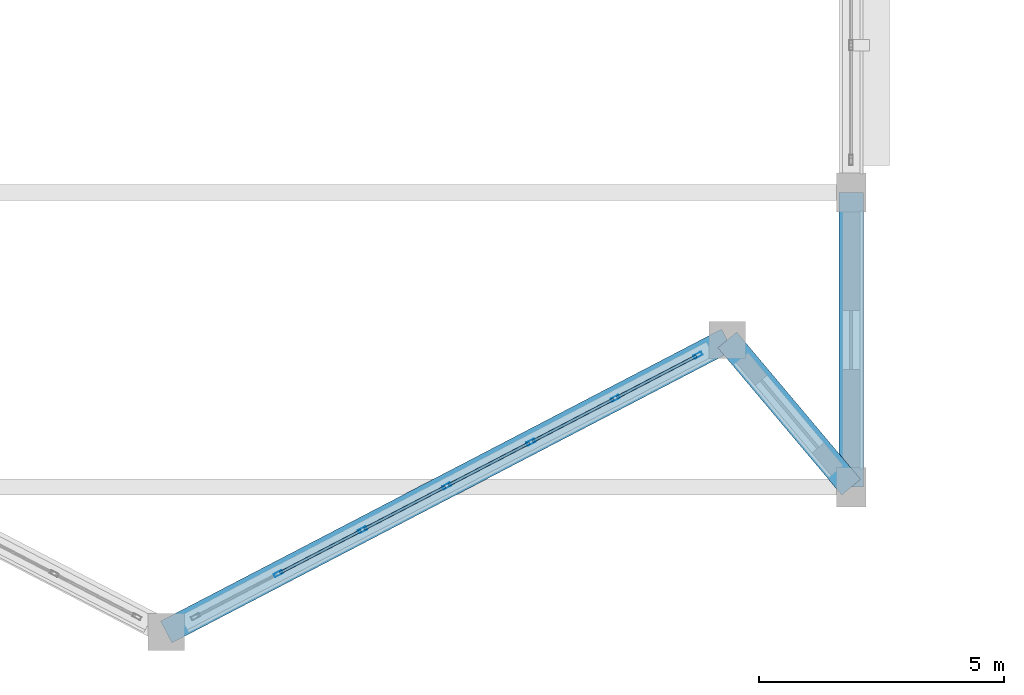
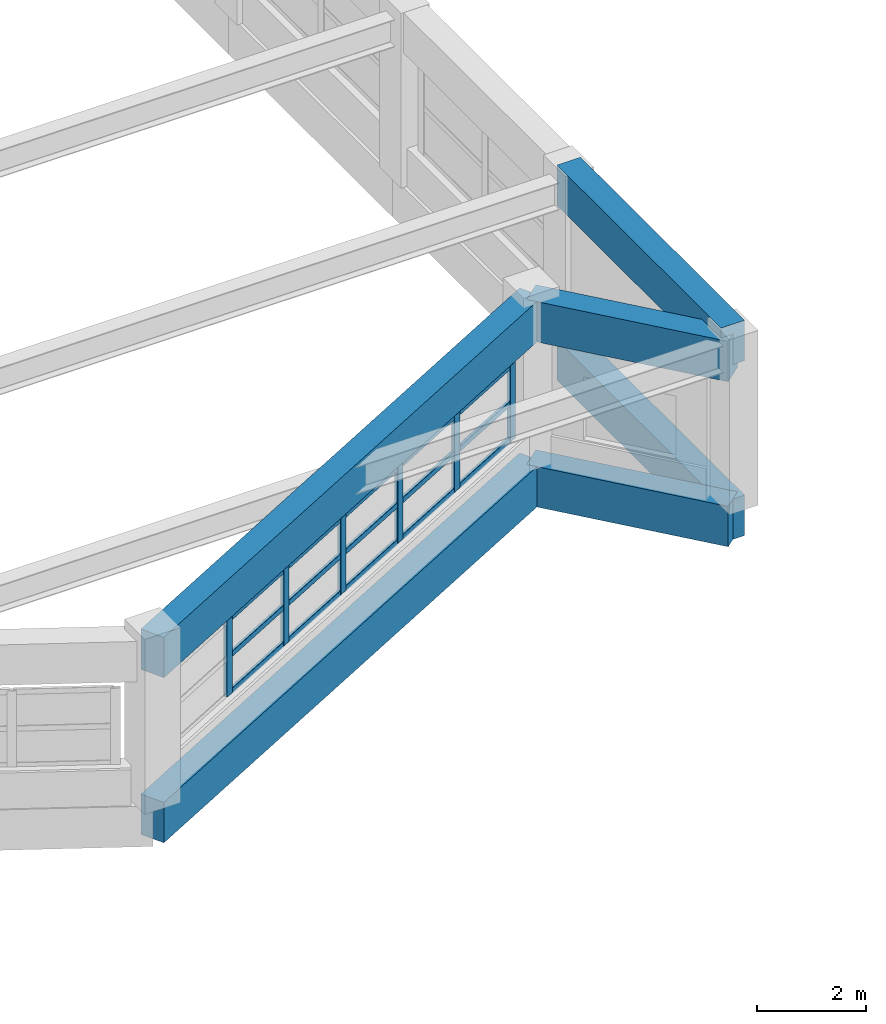
# One storey, part 8 of 108: 21 members, 6 beams, 1 element without a shape of its own.
"""IFC4 building model written with IfcOpenShell, lengths in metres."""

from ifc_helpers import new_model, si_unit, direction, frame, origin, origin_2d, place, context, subcontext, project, spatial, rectangle, hollow_rectangle, extrude, material, layer, layer_set, material_profile, profile_set, type_object, element, aggregate, save


model = new_model("IFC4")

# Units and contexts
model_context = context("Model", 3, precision=1e-05, world=origin(), true_north=direction((0.0, 1.0)))
body_context = subcontext(model_context, "Body", "Model", "MODEL_VIEW")
ifc_project = project(units=[si_unit("LENGTHUNIT", "METRE"), si_unit("AREAUNIT", "SQUARE_METRE"), si_unit("VOLUMEUNIT", "CUBIC_METRE"), si_unit("PLANEANGLEUNIT", "RADIAN"), si_unit("MASSUNIT", "GRAM", prefix="KILO")], contexts=[model_context])

# Site, building, storey
site_placement = place(None, origin())
site = spatial("IfcSite", under=ifc_project, at=site_placement, CompositionType="ELEMENT")
building_placement = place(site_placement, origin())
building = spatial("IfcBuilding", under=site, at=building_placement, Name="Vespera Passage Community Centre", CompositionType="ELEMENT")
storey_placement = place(building_placement, frame((0.0, 0.0, 12.60009765625)))
storey = spatial("IfcBuildingStorey", under=building, at=storey_placement, Name="L03", CompositionType="ELEMENT", Elevation=12.60009765625)

# Beams
ifc_material_1 = material(Name="Concrete f'c 45 MPa", Category="concrete")
ifc_material_profile_1 = material_profile(ifc_material_1, rectangle(XDim=0.5, YDim=0.89990234375, at=origin_2d()), Name="RC500X900")
ifc_profile_set_1 = profile_set([ifc_material_profile_1], Name="Concrete f'c 45 MPa")
beam_type = type_object("IfcBeamType", Name="BM-SP-500X900E", PredefinedType="SPANDREL", material=ifc_profile_set_1)
beam_1_placement = place(storey_placement, frame((31.949951171875, 7.0, 3.449951171875), z_axis=(0.0, 1.0, 0.0), x_axis=(-1.0, 0.0, 0.0)))
element("IfcBeam", 1, at=beam_1_placement, inside=storey, type_object=beam_type, Name="Main Hall Eave Ring Girder E1", PredefinedType="SPANDREL", context=body_context, shape_type="SweptSolid", body=[
    extrude(rectangle(XDim=0.5, YDim=0.89990234375, at=origin_2d()), origin(), (0.0, 0.0, 1.0), 6.0),
])
beam_2_placement = place(storey_placement, frame((18.0, 4.050048828125, 3.22998046875), z_axis=(0.887015966554, 0.461738751978, 0.0), x_axis=(-0.461738751978, 0.887015966554, 0.0)))
element("IfcBeam", 2, at=beam_2_placement, inside=storey, type_object=beam_type, Name="V1 S Apse Roof Edge Beam 3", PredefinedType="SPANDREL", context=body_context, shape_type="SweptSolid", body=[
    extrude(rectangle(XDim=0.5, YDim=0.89990234375, at=origin_2d()), origin(), (0.0, 0.0, 1.0), 12.8828125),
])
beam_3_placement = place(storey_placement, frame((29.42724609375, 9.99853515625, 3.22998046875), z_axis=(0.643780739075, -0.765210010386, 0.0), x_axis=(0.765210010386, 0.643780739075, 0.0)))
element("IfcBeam", 3, at=beam_3_placement, inside=storey, type_object=beam_type, Name="V1 S Apse Roof Edge Beam 4", PredefinedType="SPANDREL", context=body_context, shape_type="SweptSolid", body=[
    extrude(rectangle(XDim=0.5, YDim=0.89990234375, at=origin_2d()), origin(), (0.0, 0.0, 1.0), 3.91845703125),
])
beam_4_placement = place(storey_placement, frame((31.949951171875, 7.0, -0.4501953125), z_axis=(0.0, 1.0, 0.0), x_axis=(-1.0, 0.0, 0.0)))
element("IfcBeam", 4, at=beam_4_placement, inside=storey, type_object=beam_type, Name="V1 L03 Spandrel E1", PredefinedType="SPANDREL", context=body_context, shape_type="SweptSolid", body=[
    extrude(rectangle(XDim=0.5, YDim=0.89990234375, at=origin_2d()), origin(), (0.0, 0.0, 1.0), 6.0),
])
beam_5_placement = place(storey_placement, frame((18.0, 4.050048828125, -0.4501953125), z_axis=(0.887015966554, 0.461738751978, 0.0), x_axis=(-0.461738751978, 0.887015966554, 0.0)))
element("IfcBeam", 5, at=beam_5_placement, inside=storey, type_object=beam_type, Name="V1 L03 S Apse Spandrel 3", PredefinedType="SPANDREL", context=body_context, shape_type="SweptSolid", body=[
    extrude(rectangle(XDim=0.5, YDim=0.89990234375, at=origin_2d()), origin(), (0.0, 0.0, 1.0), 12.8828125),
])
beam_6_placement = place(storey_placement, frame((29.42724609375, 9.99853515625, -0.4501953125), z_axis=(0.643780739075, -0.765210010386, 0.0), x_axis=(0.765210010386, 0.643780739075, 0.0)))
element("IfcBeam", 6, at=beam_6_placement, inside=storey, type_object=beam_type, Name="V1 L03 S Apse Spandrel 4", PredefinedType="SPANDREL", context=body_context, shape_type="SweptSolid", body=[
    extrude(rectangle(XDim=0.5, YDim=0.89990234375, at=origin_2d()), origin(), (0.0, 0.0, 1.0), 3.91845703125),
])

# Curtain wall, members
ifc_material_2 = material(Name="Anodized aluminium 6063-T6", Category="aluminium")
ifc_layer = layer(ifc_material_2, 0.159912109375)
ifc_layer_set = layer_set([ifc_layer], Name="Anodized aluminium 6063-T6")
curtain_wall_type = type_object("IfcCurtainWallType", Name="CW-88E", PredefinedType="NOTDEFINED", material=ifc_layer_set)
curtain_wall_placement = place(storey_placement, origin())
curtain_wall = element("IfcCurtainWall", 7, at=curtain_wall_placement, inside=storey, type_object=curtain_wall_type, Name="V1 L03 S Apse Ribbon Curtain Wall 2", PredefinedType="NOTDEFINED")
ifc_material_3 = material(Name="Anodized aluminium 6063-T6", Category="aluminium")
ifc_material_profile_2 = material_profile(ifc_material_3, hollow_rectangle(XDim=0.074951171875, YDim=0.179931640625, WallThickness=0.0048828125, InnerFilletRadius=0.00244140625, OuterFilletRadius=0.0048828125, at=origin_2d()), Name="ALU180X75X5")
ifc_profile_set_2 = profile_set([ifc_material_profile_2], Name="Anodized aluminium 6063-T6")
member_type_1 = type_object("IfcMemberType", Name="MB-CWM-180E", PredefinedType="MULLION", material=ifc_profile_set_2)
member_1_placement = place(storey_placement, frame((28.828125, 9.686767578125, 0.7998046875), z_axis=(0.0, 0.0, 1.0), x_axis=(0.46174493668, -0.887012747062, 0.0)))
member_1 = element("IfcMember", 8, at=member_1_placement, type_object=member_type_1, Name="CW-88E mullion 1", PredefinedType="MULLION", context=body_context, shape_type="SweptSolid", body=[
    extrude(hollow_rectangle(XDim=0.074951171875, YDim=0.179931640625, WallThickness=0.0048828125, InnerFilletRadius=0.00244140625, OuterFilletRadius=0.0048828125, at=origin_2d()), origin(), (0.0, 0.0, 1.0), 1.7001953125),
])
member_2_placement = place(storey_placement, frame((27.1455078125, 8.810791015625, 0.7998046875), z_axis=(0.0, 0.0, 1.0), x_axis=(0.46174493668, -0.887012747062, 0.0)))
member_2 = element("IfcMember", 9, at=member_2_placement, type_object=member_type_1, Name="CW-88E mullion 2", PredefinedType="MULLION", context=body_context, shape_type="SweptSolid", body=[
    extrude(hollow_rectangle(XDim=0.074951171875, YDim=0.179931640625, WallThickness=0.0048828125, InnerFilletRadius=0.00244140625, OuterFilletRadius=0.0048828125, at=origin_2d()), origin(), (0.0, 0.0, 1.0), 1.7001953125),
])
member_3_placement = place(storey_placement, frame((25.4296875, 7.91748046875, 0.7998046875), z_axis=(0.0, 0.0, 1.0), x_axis=(0.46174493668, -0.887012747062, 0.0)))
member_3 = element("IfcMember", 10, at=member_3_placement, type_object=member_type_1, Name="CW-88E mullion 3", PredefinedType="MULLION", context=body_context, shape_type="SweptSolid", body=[
    extrude(hollow_rectangle(XDim=0.074951171875, YDim=0.179931640625, WallThickness=0.0048828125, InnerFilletRadius=0.00244140625, OuterFilletRadius=0.0048828125, at=origin_2d()), origin(), (0.0, 0.0, 1.0), 1.7001953125),
])
member_4_placement = place(storey_placement, frame((23.713623046875, 7.0244140625, 0.7998046875), z_axis=(0.0, 0.0, 1.0), x_axis=(0.46174493668, -0.887012747062, 0.0)))
member_4 = element("IfcMember", 11, at=member_4_placement, type_object=member_type_1, Name="CW-88E mullion 4", PredefinedType="MULLION", context=body_context, shape_type="SweptSolid", body=[
    extrude(hollow_rectangle(XDim=0.074951171875, YDim=0.179931640625, WallThickness=0.0048828125, InnerFilletRadius=0.00244140625, OuterFilletRadius=0.0048828125, at=origin_2d()), origin(), (0.0, 0.0, 1.0), 1.7001953125),
])
member_5_placement = place(storey_placement, frame((21.99755859375, 6.131103515625, 0.7998046875), z_axis=(0.0, 0.0, 1.0), x_axis=(0.46174493668, -0.887012747062, 0.0)))
member_5 = element("IfcMember", 12, at=member_5_placement, type_object=member_type_1, Name="CW-88E mullion 5", PredefinedType="MULLION", context=body_context, shape_type="SweptSolid", body=[
    extrude(hollow_rectangle(XDim=0.074951171875, YDim=0.179931640625, WallThickness=0.0048828125, InnerFilletRadius=0.00244140625, OuterFilletRadius=0.0048828125, at=origin_2d()), origin(), (0.0, 0.0, 1.0), 1.7001953125),
])
member_6_placement = place(storey_placement, frame((20.28173828125, 5.23779296875, 0.7998046875), z_axis=(0.0, 0.0, 1.0), x_axis=(0.46174493668, -0.887012747062, 0.0)))
member_6 = element("IfcMember", 13, at=member_6_placement, type_object=member_type_1, Name="CW-88E mullion 6", PredefinedType="MULLION", context=body_context, shape_type="SweptSolid", body=[
    extrude(hollow_rectangle(XDim=0.074951171875, YDim=0.179931640625, WallThickness=0.0048828125, InnerFilletRadius=0.00244140625, OuterFilletRadius=0.0048828125, at=origin_2d()), origin(), (0.0, 0.0, 1.0), 1.7001953125),
])
ifc_material_4 = material(Name="Anodized aluminium 6063-T6", Category="aluminium")
ifc_material_profile_3 = material_profile(ifc_material_4, hollow_rectangle(XDim=0.06005859375, YDim=0.1201171875, WallThickness=0.00390625, InnerFilletRadius=0.001953125, OuterFilletRadius=0.00390625, at=origin_2d()), Name="ALU120X60X4")
ifc_profile_set_3 = profile_set([ifc_material_profile_3], Name="Anodized aluminium 6063-T6")
member_type_2 = type_object("IfcMemberType", Name="MB-CWT-120E", PredefinedType="USERDEFINED", material=ifc_profile_set_3)
member_7_placement = place(storey_placement, frame((28.794921875, 9.66943359375, 0.829833984375), z_axis=(-0.887019277583, -0.461732391322, 0.0), x_axis=(0.461732391322, -0.887019277583, 0.0)))
member_7 = element("IfcMember", 14, at=member_7_placement, type_object=member_type_2, Name="CW-88E transom 1.1", ObjectType="TRANSOM", PredefinedType="USERDEFINED", context=body_context, shape_type="SweptSolid", body=[
    extrude(hollow_rectangle(XDim=0.06005859375, YDim=0.1201171875, WallThickness=0.00390625, InnerFilletRadius=0.001953125, OuterFilletRadius=0.00390625, at=origin_2d()), origin(), (0.0, 0.0, 1.0), 1.822021484375),
])
member_8_placement = place(storey_placement, frame((28.794921875, 9.66943359375, 1.64990234375), z_axis=(-0.887019277583, -0.461732391322, 0.0), x_axis=(0.461732391322, -0.887019277583, 0.0)))
member_8 = element("IfcMember", 15, at=member_8_placement, type_object=member_type_2, Name="CW-88E transom 1.2", ObjectType="TRANSOM", PredefinedType="USERDEFINED", context=body_context, shape_type="SweptSolid", body=[
    extrude(hollow_rectangle(XDim=0.06005859375, YDim=0.1201171875, WallThickness=0.00390625, InnerFilletRadius=0.001953125, OuterFilletRadius=0.00390625, at=origin_2d()), origin(), (0.0, 0.0, 1.0), 1.822021484375),
])
member_9_placement = place(storey_placement, frame((28.794921875, 9.66943359375, 2.469970703125), z_axis=(-0.887019277583, -0.461732391322, 0.0), x_axis=(0.461732391322, -0.887019277583, 0.0)))
member_9 = element("IfcMember", 16, at=member_9_placement, type_object=member_type_2, Name="CW-88E transom 1.3", ObjectType="TRANSOM", PredefinedType="USERDEFINED", context=body_context, shape_type="SweptSolid", body=[
    extrude(hollow_rectangle(XDim=0.06005859375, YDim=0.1201171875, WallThickness=0.00390625, InnerFilletRadius=0.001953125, OuterFilletRadius=0.00390625, at=origin_2d()), origin(), (0.0, 0.0, 1.0), 1.822021484375),
])
member_10_placement = place(storey_placement, frame((27.1123046875, 8.79345703125, 0.829833984375), z_axis=(-0.887008197889, -0.461753675544, 0.0), x_axis=(0.461753675544, -0.887008197889, 0.0)))
member_10 = element("IfcMember", 17, at=member_10_placement, type_object=member_type_2, Name="CW-88E transom 2.1", ObjectType="TRANSOM", PredefinedType="USERDEFINED", context=body_context, shape_type="SweptSolid", body=[
    extrude(hollow_rectangle(XDim=0.06005859375, YDim=0.1201171875, WallThickness=0.00390625, InnerFilletRadius=0.001953125, OuterFilletRadius=0.00390625, at=origin_2d()), origin(), (0.0, 0.0, 1.0), 1.859619140625),
])
member_11_placement = place(storey_placement, frame((27.1123046875, 8.79345703125, 1.64990234375), z_axis=(-0.887008197889, -0.461753675544, 0.0), x_axis=(0.461753675544, -0.887008197889, 0.0)))
member_11 = element("IfcMember", 18, at=member_11_placement, type_object=member_type_2, Name="CW-88E transom 2.2", ObjectType="TRANSOM", PredefinedType="USERDEFINED", context=body_context, shape_type="SweptSolid", body=[
    extrude(hollow_rectangle(XDim=0.06005859375, YDim=0.1201171875, WallThickness=0.00390625, InnerFilletRadius=0.001953125, OuterFilletRadius=0.00390625, at=origin_2d()), origin(), (0.0, 0.0, 1.0), 1.859619140625),
])
member_12_placement = place(storey_placement, frame((27.1123046875, 8.79345703125, 2.469970703125), z_axis=(-0.887008197889, -0.461753675544, 0.0), x_axis=(0.461753675544, -0.887008197889, 0.0)))
member_12 = element("IfcMember", 19, at=member_12_placement, type_object=member_type_2, Name="CW-88E transom 2.3", ObjectType="TRANSOM", PredefinedType="USERDEFINED", context=body_context, shape_type="SweptSolid", body=[
    extrude(hollow_rectangle(XDim=0.06005859375, YDim=0.1201171875, WallThickness=0.00390625, InnerFilletRadius=0.001953125, OuterFilletRadius=0.00390625, at=origin_2d()), origin(), (0.0, 0.0, 1.0), 1.859619140625),
])
member_13_placement = place(storey_placement, frame((25.396240234375, 7.900146484375, 0.829833984375), z_axis=(-0.887008197889, -0.461753675544, 0.0), x_axis=(0.461753675544, -0.887008197889, 0.0)))
member_13 = element("IfcMember", 20, at=member_13_placement, type_object=member_type_2, Name="CW-88E transom 3.1", ObjectType="TRANSOM", PredefinedType="USERDEFINED", context=body_context, shape_type="SweptSolid", body=[
    extrude(hollow_rectangle(XDim=0.06005859375, YDim=0.1201171875, WallThickness=0.00390625, InnerFilletRadius=0.001953125, OuterFilletRadius=0.00390625, at=origin_2d()), origin(), (0.0, 0.0, 1.0), 1.859619140625),
])
member_14_placement = place(storey_placement, frame((25.396240234375, 7.900146484375, 1.64990234375), z_axis=(-0.887008197889, -0.461753675544, 0.0), x_axis=(0.461753675544, -0.887008197889, 0.0)))
member_14 = element("IfcMember", 21, at=member_14_placement, type_object=member_type_2, Name="CW-88E transom 3.2", ObjectType="TRANSOM", PredefinedType="USERDEFINED", context=body_context, shape_type="SweptSolid", body=[
    extrude(hollow_rectangle(XDim=0.06005859375, YDim=0.1201171875, WallThickness=0.00390625, InnerFilletRadius=0.001953125, OuterFilletRadius=0.00390625, at=origin_2d()), origin(), (0.0, 0.0, 1.0), 1.859619140625),
])
member_15_placement = place(storey_placement, frame((25.396240234375, 7.900146484375, 2.469970703125), z_axis=(-0.887008197889, -0.461753675544, 0.0), x_axis=(0.461753675544, -0.887008197889, 0.0)))
member_15 = element("IfcMember", 22, at=member_15_placement, type_object=member_type_2, Name="CW-88E transom 3.3", ObjectType="TRANSOM", PredefinedType="USERDEFINED", context=body_context, shape_type="SweptSolid", body=[
    extrude(hollow_rectangle(XDim=0.06005859375, YDim=0.1201171875, WallThickness=0.00390625, InnerFilletRadius=0.001953125, OuterFilletRadius=0.00390625, at=origin_2d()), origin(), (0.0, 0.0, 1.0), 1.859619140625),
])
member_16_placement = place(storey_placement, frame((23.680419921875, 7.007080078125, 0.829833984375), z_axis=(-0.887008197889, -0.461753675544, 0.0), x_axis=(0.461753675544, -0.887008197889, 0.0)))
member_16 = element("IfcMember", 23, at=member_16_placement, type_object=member_type_2, Name="CW-88E transom 4.1", ObjectType="TRANSOM", PredefinedType="USERDEFINED", context=body_context, shape_type="SweptSolid", body=[
    extrude(hollow_rectangle(XDim=0.06005859375, YDim=0.1201171875, WallThickness=0.00390625, InnerFilletRadius=0.001953125, OuterFilletRadius=0.00390625, at=origin_2d()), origin(), (0.0, 0.0, 1.0), 1.859619140625),
])
member_17_placement = place(storey_placement, frame((23.680419921875, 7.007080078125, 1.64990234375), z_axis=(-0.887008197889, -0.461753675544, 0.0), x_axis=(0.461753675544, -0.887008197889, 0.0)))
member_17 = element("IfcMember", 24, at=member_17_placement, type_object=member_type_2, Name="CW-88E transom 4.2", ObjectType="TRANSOM", PredefinedType="USERDEFINED", context=body_context, shape_type="SweptSolid", body=[
    extrude(hollow_rectangle(XDim=0.06005859375, YDim=0.1201171875, WallThickness=0.00390625, InnerFilletRadius=0.001953125, OuterFilletRadius=0.00390625, at=origin_2d()), origin(), (0.0, 0.0, 1.0), 1.859619140625),
])
member_18_placement = place(storey_placement, frame((23.680419921875, 7.007080078125, 2.469970703125), z_axis=(-0.887008197889, -0.461753675544, 0.0), x_axis=(0.461753675544, -0.887008197889, 0.0)))
member_18 = element("IfcMember", 25, at=member_18_placement, type_object=member_type_2, Name="CW-88E transom 4.3", ObjectType="TRANSOM", PredefinedType="USERDEFINED", context=body_context, shape_type="SweptSolid", body=[
    extrude(hollow_rectangle(XDim=0.06005859375, YDim=0.1201171875, WallThickness=0.00390625, InnerFilletRadius=0.001953125, OuterFilletRadius=0.00390625, at=origin_2d()), origin(), (0.0, 0.0, 1.0), 1.859619140625),
])
member_19_placement = place(storey_placement, frame((21.96435546875, 6.11376953125, 0.829833984375), z_axis=(-0.887008197889, -0.461753675544, 0.0), x_axis=(0.461753675544, -0.887008197889, 0.0)))
member_19 = element("IfcMember", 26, at=member_19_placement, type_object=member_type_2, Name="CW-88E transom 5.1", ObjectType="TRANSOM", PredefinedType="USERDEFINED", context=body_context, shape_type="SweptSolid", body=[
    extrude(hollow_rectangle(XDim=0.06005859375, YDim=0.1201171875, WallThickness=0.00390625, InnerFilletRadius=0.001953125, OuterFilletRadius=0.00390625, at=origin_2d()), origin(), (0.0, 0.0, 1.0), 1.859619140625),
])
member_20_placement = place(storey_placement, frame((21.96435546875, 6.11376953125, 1.64990234375), z_axis=(-0.887008197889, -0.461753675544, 0.0), x_axis=(0.461753675544, -0.887008197889, 0.0)))
member_20 = element("IfcMember", 27, at=member_20_placement, type_object=member_type_2, Name="CW-88E transom 5.2", ObjectType="TRANSOM", PredefinedType="USERDEFINED", context=body_context, shape_type="SweptSolid", body=[
    extrude(hollow_rectangle(XDim=0.06005859375, YDim=0.1201171875, WallThickness=0.00390625, InnerFilletRadius=0.001953125, OuterFilletRadius=0.00390625, at=origin_2d()), origin(), (0.0, 0.0, 1.0), 1.859619140625),
])
member_21_placement = place(storey_placement, frame((21.96435546875, 6.11376953125, 2.469970703125), z_axis=(-0.887008197889, -0.461753675544, 0.0), x_axis=(0.461753675544, -0.887008197889, 0.0)))
member_21 = element("IfcMember", 28, at=member_21_placement, type_object=member_type_2, Name="CW-88E transom 5.3", ObjectType="TRANSOM", PredefinedType="USERDEFINED", context=body_context, shape_type="SweptSolid", body=[
    extrude(hollow_rectangle(XDim=0.06005859375, YDim=0.1201171875, WallThickness=0.00390625, InnerFilletRadius=0.001953125, OuterFilletRadius=0.00390625, at=origin_2d()), origin(), (0.0, 0.0, 1.0), 1.859619140625),
])
aggregate(curtain_wall, [member_1, member_2, member_3, member_4, member_5, member_6, member_7, member_8, member_9, member_10, member_11, member_12, member_13, member_14, member_15, member_16, member_17, member_18, member_19, member_20, member_21])

save(model, "model.ifc")
